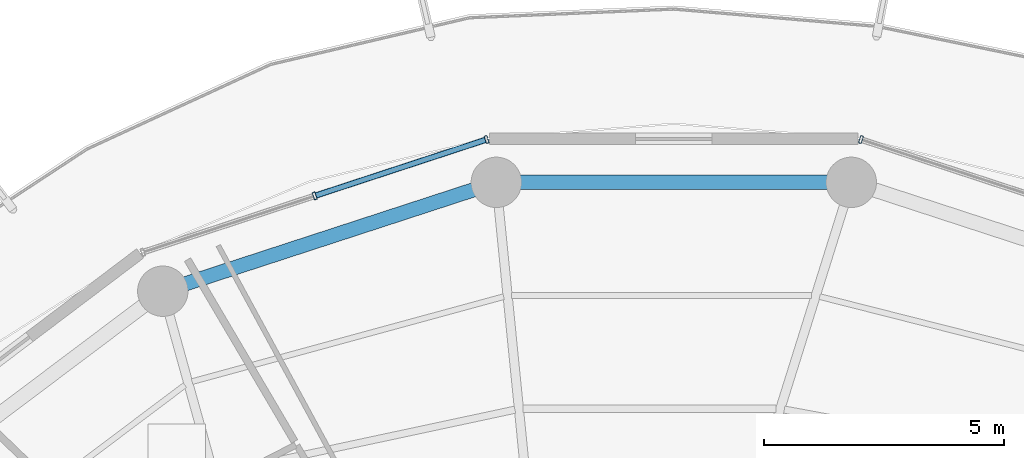
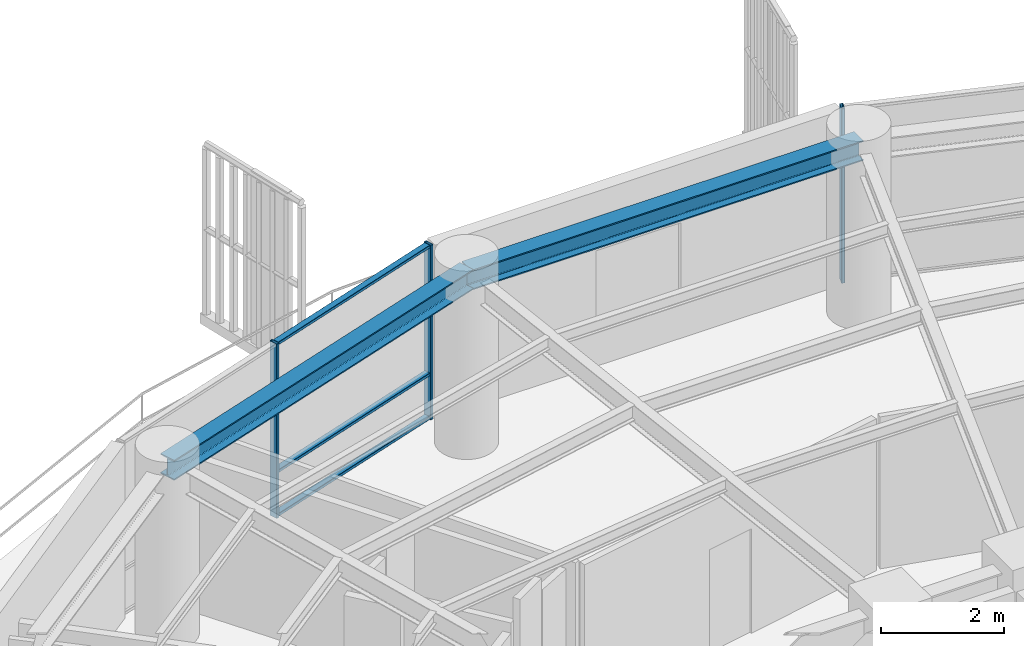
# One storey, part 19 of 30: 6 members, 2 beams, 2 elements without a shape of their own.
"""IFC4 building model written with IfcOpenShell, lengths in metres."""

from ifc_helpers import new_model, si_unit, direction, frame, origin, origin_2d, place, context, subcontext, project, spatial, hollow_rectangle, i_section, extrude, material, layer, layer_set, material_profile, profile_set, type_object, element, aggregate, save


model = new_model("IFC4")

# Units and contexts
model_context = context("Model", 3, precision=1e-05, world=origin(), true_north=direction((0.0, 1.0)))
body_context = subcontext(model_context, "Body", "Model", "MODEL_VIEW")
ifc_project = project(units=[si_unit("LENGTHUNIT", "METRE"), si_unit("AREAUNIT", "SQUARE_METRE"), si_unit("VOLUMEUNIT", "CUBIC_METRE"), si_unit("PLANEANGLEUNIT", "RADIAN"), si_unit("MASSUNIT", "GRAM", prefix="KILO")], contexts=[model_context])

# Site, building, storey
site_placement = place(None, origin())
site = spatial("IfcSite", under=ifc_project, at=site_placement, CompositionType="ELEMENT")
building_placement = place(site_placement, origin())
building = spatial("IfcBuilding", under=site, at=building_placement, Name="Kelanora Arch Commons", CompositionType="ELEMENT")
storey_placement = place(building_placement, frame((0.0, 0.0, 234.449951171875)))
storey = spatial("IfcBuildingStorey", under=building, at=storey_placement, Name="L60", CompositionType="ELEMENT", Elevation=234.449951171875)

# Beams
ifc_material_1 = material(Name="Steel S355", Category="steel")
ifc_material_profile_1 = material_profile(ifc_material_1, i_section(OverallWidth=0.300048828125, OverallDepth=0.39990234375, WebThickness=0.013427734375, FlangeThickness=0.02392578125, FilletRadius=0.027099609375, at=origin_2d()), Name="HEB400")
ifc_profile_set_1 = profile_set([ifc_material_profile_1], Name="Steel S355")
beam_type = type_object("IfcBeamType", Name="BM-SPN-Z4", PredefinedType="SPANDREL", material=ifc_profile_set_1)
beam_1_placement = place(storey_placement, frame((77.6953125, 76.7900390625, 3.2900390625), z_axis=(-1.0, 0.0, 0.0), x_axis=(0.0, -1.0, 0.0)))
element("IfcBeam", 1, at=beam_1_placement, inside=storey, type_object=beam_type, Name="Perimeter Spandrel Beam BS-08 L60", PredefinedType="SPANDREL", context=body_context, shape_type="SweptSolid", body=[
    extrude(i_section(OverallWidth=0.300048828125, OverallDepth=0.39990234375, WebThickness=0.013427734375, FlangeThickness=0.02392578125, FilletRadius=0.027099609375, at=origin_2d()), origin(), (0.0, 0.0, 1.0), 7.390625),
])
beam_2_placement = place(storey_placement, frame((70.3046875, 76.7900390625, 3.2900390625), z_axis=(-0.950656361143, -0.310245842872, 0.0), x_axis=(0.310245842872, -0.950656361143, 0.0)))
element("IfcBeam", 2, at=beam_2_placement, inside=storey, type_object=beam_type, Name="Perimeter Spandrel Beam BS-10 L60", PredefinedType="SPANDREL", context=body_context, shape_type="SweptSolid", body=[
    extrude(i_section(OverallWidth=0.300048828125, OverallDepth=0.39990234375, WebThickness=0.013427734375, FlangeThickness=0.02392578125, FilletRadius=0.027099609375, at=origin_2d()), origin(), (0.0, 0.0, 1.0), 7.304931640625),
])

# Curtain wall, member
ifc_material_2 = material(Name="Terracotta ceramic-fritted low-E glass and aluminium", Category="masonry")
ifc_layer = layer(ifc_material_2, 0.175048828125)
ifc_layer_set = layer_set([ifc_layer], Name="Terracotta ceramic-fritted low-E glass and aluminium")
curtain_wall_type = type_object("IfcCurtainWallType", Name="CW-SYS-02", PredefinedType="NOTDEFINED", material=ifc_layer_set)
curtain_wall_1_placement = place(storey_placement, origin())
curtain_wall_1 = element("IfcCurtainWall", 3, at=curtain_wall_1_placement, inside=storey, type_object=curtain_wall_type, Name="Unitised Curtain Wall L60-B03", PredefinedType="NOTDEFINED")
ifc_material_3 = material(Name="Powder-coated aluminium terracotta", Category="masonry")
ifc_material_profile_2 = material_profile(ifc_material_3, hollow_rectangle(XDim=0.159912109375, YDim=0.06005859375, WallThickness=0.0048828125, InnerFilletRadius=0.0048828125, OuterFilletRadius=0.010009765625, at=origin_2d()), Name="CWM160x60")
ifc_profile_set_2 = profile_set([ifc_material_profile_2], Name="Powder-coated aluminium terracotta")
member_type_1 = type_object("IfcMemberType", Name="CWM-STD", PredefinedType="MULLION", material=ifc_profile_set_2)
member_1_placement = place(storey_placement, frame((77.897705078125, 77.68212890625, 0.0), z_axis=(0.0, 0.0, 1.0), x_axis=(-0.311582439059, -0.950219124029, 0.0)))
member_1 = element("IfcMember", 4, at=member_1_placement, type_object=member_type_1, Name="CW-02 mullion 3", PredefinedType="MULLION", context=body_context, shape_type="SweptSolid", body=[
    extrude(hollow_rectangle(XDim=0.159912109375, YDim=0.06005859375, WallThickness=0.0048828125, InnerFilletRadius=0.0048828125, OuterFilletRadius=0.010009765625, at=origin_2d()), origin(), (0.0, 0.0, 1.0), 3.47509765625),
])
aggregate(curtain_wall_1, [member_1])

# Curtain wall, members
curtain_wall_2_placement = place(storey_placement, origin())
curtain_wall_2 = element("IfcCurtainWall", 5, at=curtain_wall_2_placement, inside=storey, type_object=curtain_wall_type, Name="Unitised Curtain Wall L60-B05", PredefinedType="NOTDEFINED")
member_2_placement = place(storey_placement, frame((70.102294921875, 77.68212890625, 0.0), z_axis=(0.0, 0.0, 1.0), x_axis=(0.311582439059, -0.950219124029, 0.0)))
member_2 = element("IfcMember", 6, at=member_2_placement, type_object=member_type_1, Name="CW-02 mullion 1", PredefinedType="MULLION", context=body_context, shape_type="SweptSolid", body=[
    extrude(hollow_rectangle(XDim=0.159912109375, YDim=0.06005859375, WallThickness=0.0048828125, InnerFilletRadius=0.0048828125, OuterFilletRadius=0.010009765625, at=origin_2d()), origin(), (0.0, 0.0, 1.0), 3.47509765625),
])
member_3_placement = place(storey_placement, frame((66.5224609375, 76.50830078125, 0.0), z_axis=(0.0, 0.0, 1.0), x_axis=(0.311582439059, -0.950219124029, 0.0)))
member_3 = element("IfcMember", 7, at=member_3_placement, type_object=member_type_1, Name="CW-02 mullion 2", PredefinedType="MULLION", context=body_context, shape_type="SweptSolid", body=[
    extrude(hollow_rectangle(XDim=0.159912109375, YDim=0.06005859375, WallThickness=0.0048828125, InnerFilletRadius=0.0048828125, OuterFilletRadius=0.010009765625, at=origin_2d()), origin(), (0.0, 0.0, 1.0), 3.47509765625),
])
ifc_material_profile_3 = material_profile(ifc_material_3, hollow_rectangle(XDim=0.1201171875, YDim=0.06005859375, WallThickness=0.0048828125, InnerFilletRadius=0.0048828125, OuterFilletRadius=0.010009765625, at=origin_2d()), Name="CWT120x60")
ifc_profile_set_3 = profile_set([ifc_material_profile_3], Name="Powder-coated aluminium terracotta")
member_type_2 = type_object("IfcMemberType", Name="CWT-STD", PredefinedType="USERDEFINED", material=ifc_profile_set_3)
member_4_placement = place(storey_placement, frame((70.07373046875, 77.6728515625, 0.030029296875), z_axis=(-0.950206527055, -0.311620852867, 0.0), x_axis=(0.311620852867, -0.950206527055, 0.0)))
member_4 = element("IfcMember", 8, at=member_4_placement, type_object=member_type_2, Name="CW-02 transom 1.1", ObjectType="TRANSOM", PredefinedType="USERDEFINED", context=body_context, shape_type="SweptSolid", body=[
    extrude(hollow_rectangle(XDim=0.1201171875, YDim=0.06005859375, WallThickness=0.0048828125, InnerFilletRadius=0.0048828125, OuterFilletRadius=0.010009765625, at=origin_2d()), origin(), (0.0, 0.0, 1.0), 3.707275390625),
])
member_5_placement = place(storey_placement, frame((70.07373046875, 77.6728515625, 0.900146484375), z_axis=(-0.950206527055, -0.311620852867, 0.0), x_axis=(0.311620852867, -0.950206527055, 0.0)))
member_5 = element("IfcMember", 9, at=member_5_placement, type_object=member_type_2, Name="CW-02 transom 1.2", ObjectType="TRANSOM", PredefinedType="USERDEFINED", context=body_context, shape_type="SweptSolid", body=[
    extrude(hollow_rectangle(XDim=0.1201171875, YDim=0.06005859375, WallThickness=0.0048828125, InnerFilletRadius=0.0048828125, OuterFilletRadius=0.010009765625, at=origin_2d()), origin(), (0.0, 0.0, 1.0), 3.707275390625),
])
member_6_placement = place(storey_placement, frame((70.07373046875, 77.6728515625, 3.445068359375), z_axis=(-0.950206527055, -0.311620852867, 0.0), x_axis=(0.311620852867, -0.950206527055, 0.0)))
member_6 = element("IfcMember", 10, at=member_6_placement, type_object=member_type_2, Name="CW-02 transom 1.3", ObjectType="TRANSOM", PredefinedType="USERDEFINED", context=body_context, shape_type="SweptSolid", body=[
    extrude(hollow_rectangle(XDim=0.1201171875, YDim=0.06005859375, WallThickness=0.0048828125, InnerFilletRadius=0.0048828125, OuterFilletRadius=0.010009765625, at=origin_2d()), origin(), (0.0, 0.0, 1.0), 3.707275390625),
])
aggregate(curtain_wall_2, [member_2, member_3, member_4, member_5, member_6])

save(model, "model.ifc")
